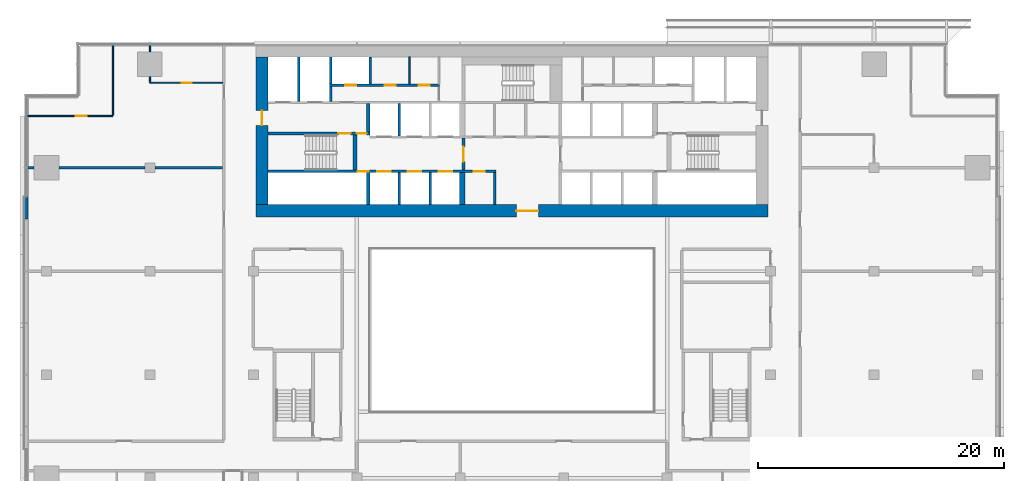
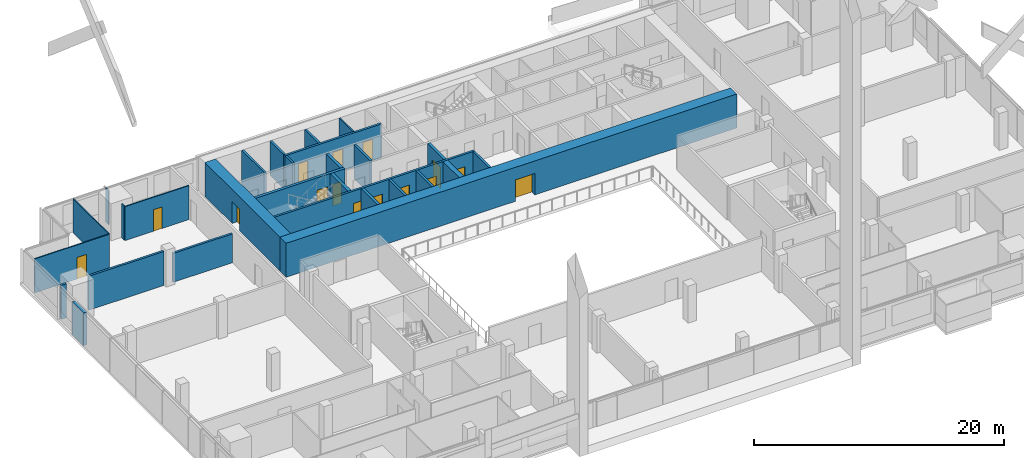
# One storey, part 21 of 30: 28 walls, 15 doors, 15 openings.
"""IFC4 building model written with IfcOpenShell, lengths in metres."""

from ifc_helpers import new_model, si_unit, direction, frame, frame_2d, origin, place, context, subcontext, project, spatial, rectangle, extrude, material, layer, layer_set, type_object, element, fill, save


model = new_model("IFC4")

# Units and contexts
model_context = context("Model", 3, precision=1e-05, world=origin(), true_north=direction((0.0, 1.0)))
body_context = subcontext(model_context, "Body", "Model", "MODEL_VIEW")
ifc_project = project(units=[si_unit("LENGTHUNIT", "METRE"), si_unit("AREAUNIT", "SQUARE_METRE"), si_unit("VOLUMEUNIT", "CUBIC_METRE"), si_unit("PLANEANGLEUNIT", "RADIAN"), si_unit("MASSUNIT", "GRAM", prefix="KILO")], contexts=[model_context])

# Site, building, storey
site_placement = place(None, origin())
site = spatial("IfcSite", under=ifc_project, at=site_placement, CompositionType="ELEMENT")
building_placement = place(site_placement, origin())
building = spatial("IfcBuilding", under=site, at=building_placement, Name="Saffron Gate Tower", CompositionType="ELEMENT")
storey_placement = place(building_placement, frame((0.0, 0.0, 95.25)))
storey = spatial("IfcBuildingStorey", under=building, at=storey_placement, Name="L21", CompositionType="ELEMENT", Elevation=95.25)

# Wall
ifc_material_1 = material(Name="Gypsum board partition on steel studs", Category="steel")
ifc_layer_1 = layer(ifc_material_1, 0.199951171875)
ifc_layer_set_1 = layer_set([ifc_layer_1], Name="CW10 Core partition 200")
wall_type_1 = type_object("IfcWallType", Name="CW10 Core partition 200", PredefinedType="PARTITIONING", material=ifc_layer_set_1)
wall_1_placement = place(storey_placement, frame((86.199951171875, 62.39990234375, 0.0), z_axis=(0.0, 0.0, 1.0), x_axis=(0.0, 1.0, 0.0)))
element("IfcWall", 1, at=wall_1_placement, inside=storey, type_object=wall_type_1, Name="Wall CW10-L21-9", PredefinedType="PARTITIONING", context=body_context, shape_type="SweptSolid", body=[
    extrude(rectangle(XDim=2.60009765625, YDim=0.199951171875, at=frame_2d((1.300048828125, 0.0))), origin(), (0.0, 0.0, 1.0), 3.320068359375),
])

# Wall, opening, door
ifc_material_2 = material(Name="Concrete C70", Category="concrete")
ifc_layer_2 = layer(ifc_material_2, 1.0)
ifc_layer_set_2 = layer_set([ifc_layer_2], Name="CW12 RC core wall 1000 C70")
wall_type_2 = type_object("IfcWallType", Name="CW12 RC core wall 1000 C70", PredefinedType="SOLIDWALL", material=ifc_layer_set_2)
wall_2_placement = place(storey_placement, frame((66.800048828125, 61.89990234375, 0.0), z_axis=(0.0, 0.0, 1.0), x_axis=(1.0, 0.0, 0.0)))
wall_2 = element("IfcWall", 2, at=wall_2_placement, inside=storey, type_object=wall_type_2, Name="Wall CW12-L21-1", PredefinedType="SOLIDWALL", context=body_context, shape_type="SweptSolid", body=[
    extrude(rectangle(XDim=41.599853515625, YDim=1.0, at=frame_2d((20.7998046875, 0.0))), origin(), (0.0, 0.0, 1.0), 3.320068359375),
])
opening_1_placement = place(wall_2_placement, frame((21.14990234375, 0.0, 0.0)))
opening_1 = element("IfcOpeningElement", 3, at=opening_1_placement, cuts=wall_2, Name="Opening CR-09", PredefinedType="OPENING", context=body_context, shape_type="SweptSolid", body=[
    extrude(rectangle(XDim=1.800048828125, YDim=2.10009765625, at=frame_2d((0.89990234375, 1.050048828125))), frame((0.0, 0.510009765625, 0.0), z_axis=(0.0, -1.0, 0.0), x_axis=(1.0, 0.0, 0.0)), (0.0, 0.0, 1.0), 1.02001953125),
])
ifc_material_3 = material(Name="Steel fire door set", Category="steel")
door_type_1 = type_object("IfcDoorType", Name="CD1 Core entrance door 1800x2100 EI 120", OperationType="NOTDEFINED", PredefinedType="DOOR", material=ifc_material_3)
door_1_placement = place(opening_1_placement, origin())
door_1 = element("IfcDoor", 4, at=door_1_placement, inside=storey, type_object=door_type_1, Name="DOOR CR-09", OperationType="DOUBLE_DOOR_SINGLE_SWING", OverallHeight=2.10009765625, OverallWidth=1.800048828125, PredefinedType="DOOR", context=body_context, shape_type="SweptSolid", body=[
    extrude(rectangle(XDim=1.800048828125, YDim=2.10009765625, at=frame_2d((0.89990234375, 1.050048828125))), frame((0.0, 0.02490234375, 0.0), z_axis=(0.0, -1.0, 0.0), x_axis=(1.0, 0.0, 0.0)), (0.0, 0.0, 1.0), 0.050048828125),
])
fill(opening_1, door_1)

wall_3_placement = place(storey_placement, frame((67.300048828125, 62.39990234375, 0.0), z_axis=(0.0, 0.0, 1.0), x_axis=(0.0, 1.0, 0.0)))
wall_3 = element("IfcWall", 5, at=wall_3_placement, inside=storey, type_object=wall_type_2, Name="Wall CW12-L21-3", PredefinedType="SOLIDWALL", context=body_context, shape_type="SweptSolid", body=[
    extrude(rectangle(XDim=12.0, YDim=1.0, at=frame_2d((6.0, 0.0))), origin(), (0.0, 0.0, 1.0), 3.320068359375),
])
opening_2_placement = place(wall_3_placement, frame((6.449951171875, 0.0, 0.0)))
opening_2 = element("IfcOpeningElement", 6, at=opening_2_placement, cuts=wall_3, Name="Opening CR-10", PredefinedType="OPENING", context=body_context, shape_type="SweptSolid", body=[
    extrude(rectangle(XDim=1.199951171875, YDim=2.10009765625, at=frame_2d((0.60009765625, 1.050048828125))), frame((0.0, 0.510009765625, 0.0), z_axis=(0.0, -1.0, 0.0), x_axis=(1.0, 0.0, 0.0)), (0.0, 0.0, 1.0), 1.02001953125),
])
door_type_2 = type_object("IfcDoorType", Name="CD7 Core entrance door 1200x2100 EI 120", OperationType="NOTDEFINED", PredefinedType="DOOR", material=ifc_material_3)
door_2_placement = place(opening_2_placement, origin())
door_2 = element("IfcDoor", 7, at=door_2_placement, inside=storey, type_object=door_type_2, Name="DOOR CR-10", OperationType="SINGLE_SWING_LEFT", OverallHeight=2.10009765625, OverallWidth=1.199951171875, PredefinedType="DOOR", context=body_context, shape_type="SweptSolid", body=[
    extrude(rectangle(XDim=1.199951171875, YDim=2.10009765625, at=frame_2d((0.60009765625, 1.050048828125))), frame((0.0, 0.02490234375, 0.0), z_axis=(0.0, -1.0, 0.0), x_axis=(1.0, 0.0, 0.0)), (0.0, 0.0, 1.0), 0.050048828125),
])
fill(opening_2, door_2)

# Wall
ifc_layer_3 = layer(ifc_material_2, 0.25)
ifc_layer_set_3 = layer_set([ifc_layer_3], Name="CW2 RC core wall 250 C70")
wall_type_3 = type_object("IfcWallType", Name="CW2 RC core wall 250 C70", PredefinedType="SOLIDWALL", material=ifc_layer_set_3)
wall_4_placement = place(storey_placement, frame((75.925048828125, 62.39990234375, 0.0), z_axis=(0.0, 0.0, 1.0), x_axis=(0.0, 1.0, 0.0)))
element("IfcWall", 8, at=wall_4_placement, inside=storey, type_object=wall_type_3, Name="Wall CW2-L21-5", PredefinedType="SOLIDWALL", context=body_context, shape_type="SweptSolid", body=[
    extrude(rectangle(XDim=2.60009765625, YDim=0.25, at=frame_2d((1.300048828125, 0.0))), origin(), (0.0, 0.0, 1.0), 3.320068359375),
])

# Wall, opening, door
wall_5_placement = place(storey_placement, frame((83.675048828125, 65.199951171875, 0.0), z_axis=(0.0, 0.0, 1.0), x_axis=(0.0, 1.0, 0.0)))
wall_5 = element("IfcWall", 9, at=wall_5_placement, inside=storey, type_object=wall_type_3, Name="Wall CW2-L21-17", PredefinedType="SOLIDWALL", context=body_context, shape_type="SweptSolid", body=[
    extrude(rectangle(XDim=2.60009765625, YDim=0.25, at=frame_2d((1.300048828125, 0.0))), origin(), (0.0, 0.0, 1.0), 3.320068359375),
])
opening_3_placement = place(wall_5_placement, frame((0.699951171875, 0.0, 0.0)))
opening_3 = element("IfcOpeningElement", 10, at=opening_3_placement, cuts=wall_5, Name="Opening CR-07", PredefinedType="OPENING", context=body_context, shape_type="SweptSolid", body=[
    extrude(rectangle(XDim=1.199951171875, YDim=2.10009765625, at=frame_2d((0.60009765625, 1.050048828125))), frame((0.0, 0.135009765625, 0.0), z_axis=(0.0, -1.0, 0.0), x_axis=(1.0, 0.0, 0.0)), (0.0, 0.0, 1.0), 0.27001953125),
])
door_type_3 = type_object("IfcDoorType", Name="CD3 Lobby door 1200x2100 EI 120", OperationType="NOTDEFINED", PredefinedType="DOOR", material=ifc_material_3)
door_3_placement = place(opening_3_placement, origin())
door_3 = element("IfcDoor", 11, at=door_3_placement, inside=storey, type_object=door_type_3, Name="DOOR CR-07", OperationType="SINGLE_SWING_RIGHT", OverallHeight=2.10009765625, OverallWidth=1.199951171875, PredefinedType="DOOR", context=body_context, shape_type="SweptSolid", body=[
    extrude(rectangle(XDim=1.199951171875, YDim=2.10009765625, at=frame_2d((0.60009765625, 1.050048828125))), frame((0.0, 0.02490234375, 0.0), z_axis=(0.0, -1.0, 0.0), x_axis=(1.0, 0.0, 0.0)), (0.0, 0.0, 1.0), 0.050048828125),
])
fill(opening_3, door_3)

# Wall, openings, doors
wall_6_placement = place(storey_placement, frame((67.800048828125, 68.175048828125, 0.0), z_axis=(0.0, 0.0, 1.0), x_axis=(1.0, 0.0, 0.0)))
wall_6 = element("IfcWall", 12, at=wall_6_placement, inside=storey, type_object=wall_type_3, Name="Wall CW2-L21-30", PredefinedType="SOLIDWALL", context=body_context, shape_type="SweptSolid", body=[
    extrude(rectangle(XDim=8.25, YDim=0.25, at=frame_2d((4.125, 0.0))), origin(), (0.0, 0.0, 1.0), 3.320068359375),
])
opening_4_placement = place(wall_6_placement, frame((5.699951171875, 0.0, 0.0)))
opening_4 = element("IfcOpeningElement", 13, at=opening_4_placement, cuts=wall_6, Name="Opening CR-15", PredefinedType="OPENING", context=body_context, shape_type="SweptSolid", body=[
    extrude(rectangle(XDim=1.0, YDim=2.10009765625, at=frame_2d((0.5, 1.050048828125))), frame((0.0, 0.135009765625, 0.0), z_axis=(0.0, -1.0, 0.0), x_axis=(1.0, 0.0, 0.0)), (0.0, 0.0, 1.0), 0.27001953125),
])
opening_5_placement = place(wall_6_placement, frame((7.199951171875, 0.0, 0.0)))
opening_5 = element("IfcOpeningElement", 14, at=opening_5_placement, cuts=wall_6, Name="Opening CR-06", PredefinedType="OPENING", context=body_context, shape_type="SweptSolid", body=[
    extrude(rectangle(XDim=0.800048828125, YDim=2.10009765625, at=frame_2d((0.39990234375, 1.050048828125))), frame((0.0, 0.135009765625, 0.0), z_axis=(0.0, -1.0, 0.0), x_axis=(1.0, 0.0, 0.0)), (0.0, 0.0, 1.0), 0.27001953125),
])
door_type_4 = type_object("IfcDoorType", Name="CD5 Stair door 1000x2100 EI 120", OperationType="NOTDEFINED", PredefinedType="DOOR", material=ifc_material_3)
door_4_placement = place(opening_4_placement, origin())
door_4 = element("IfcDoor", 15, at=door_4_placement, inside=storey, type_object=door_type_4, Name="DOOR CR-15", OperationType="SINGLE_SWING_RIGHT", OverallHeight=2.10009765625, OverallWidth=1.0, PredefinedType="DOOR", context=body_context, shape_type="SweptSolid", body=[
    extrude(rectangle(XDim=1.0, YDim=2.10009765625, at=frame_2d((0.5, 1.050048828125))), frame((0.0, 0.02490234375, 0.0), z_axis=(0.0, -1.0, 0.0), x_axis=(1.0, 0.0, 0.0)), (0.0, 0.0, 1.0), 0.050048828125),
])
fill(opening_4, door_4)
door_type_5 = type_object("IfcDoorType", Name="CD6 Lobby door 800x2100 EI 120", OperationType="NOTDEFINED", PredefinedType="DOOR", material=ifc_material_3)
door_5_placement = place(opening_5_placement, origin())
door_5 = element("IfcDoor", 16, at=door_5_placement, inside=storey, type_object=door_type_5, Name="DOOR CR-06", OperationType="SINGLE_SWING_LEFT", OverallHeight=2.10009765625, OverallWidth=0.800048828125, PredefinedType="DOOR", context=body_context, shape_type="SweptSolid", body=[
    extrude(rectangle(XDim=0.800048828125, YDim=2.10009765625, at=frame_2d((0.39990234375, 1.050048828125))), frame((0.0, 0.02490234375, 0.0), z_axis=(0.0, -1.0, 0.0), x_axis=(1.0, 0.0, 0.0)), (0.0, 0.0, 1.0), 0.050048828125),
])
fill(opening_5, door_5)

# Walls
wall_7_placement = place(storey_placement, frame((75.925048828125, 68.300048828125, 0.0), z_axis=(0.0, 0.0, 1.0), x_axis=(0.0, 1.0, 0.0)))
element("IfcWall", 17, at=wall_7_placement, inside=storey, type_object=wall_type_3, Name="Wall CW2-L21-32", PredefinedType="SOLIDWALL", context=body_context, shape_type="SweptSolid", body=[
    extrude(rectangle(XDim=2.300048828125, YDim=0.25, at=frame_2d((1.14990234375, 0.0))), origin(), (0.0, 0.0, 1.0), 3.320068359375),
])
ifc_layer_4 = layer(ifc_material_2, 0.199951171875)
ifc_layer_set_4 = layer_set([ifc_layer_4], Name="CW3 RC core wall 200 C70")
wall_type_4 = type_object("IfcWallType", Name="CW3 RC core wall 200 C70", PredefinedType="SOLIDWALL", material=ifc_layer_set_4)
for number, where, z_axis, x_axis, name in (
    (18, (78.449951171875, 62.39990234375, 0.0), (0.0, 0.0, 1.0), (0.0, 1.0, 0.0), "Wall CW3-L21-6"),
    (19, (80.949951171875, 62.39990234375, 0.0), (0.0, 0.0, 1.0), (0.0, 1.0, 0.0), "Wall CW3-L21-7"),
):
    element("IfcWall", number, at=place(storey_placement, frame(where, z_axis=z_axis, x_axis=x_axis)), inside=storey, type_object=wall_type_4, Name=name, PredefinedType="SOLIDWALL", context=body_context, shape_type="SweptSolid", body=[
        extrude(rectangle(XDim=2.60009765625, YDim=0.199951171875, at=frame_2d((1.300048828125, 0.0))), origin(), (0.0, 0.0, 1.0), 3.320068359375),
    ])

# Wall, openings, doors
wall_8_placement = place(storey_placement, frame((67.800048828125, 65.10009765625, 0.0), z_axis=(0.0, 0.0, 1.0), x_axis=(1.0, 0.0, 0.0)))
wall_8 = element("IfcWall", 20, at=wall_8_placement, inside=storey, type_object=wall_type_4, Name="Wall CW3-L21-14", PredefinedType="SOLIDWALL", context=body_context, shape_type="SweptSolid", body=[
    extrude(rectangle(XDim=18.5, YDim=0.199951171875, at=frame_2d((9.25, 0.0))), origin(), (0.0, 0.0, 1.0), 3.320068359375),
])
opening_6_placement = place(wall_8_placement, frame((7.27001953125, 0.0, 0.0)))
opening_6 = element("IfcOpeningElement", 21, at=opening_6_placement, cuts=wall_8, Name="Opening CR-49", PredefinedType="OPENING", context=body_context, shape_type="SweptSolid", body=[
    extrude(rectangle(XDim=0.89990234375, YDim=2.10009765625, at=frame_2d((0.449951171875, 1.050048828125))), frame((0.0, 0.10986328125, 0.0), z_axis=(0.0, -1.0, 0.0), x_axis=(1.0, 0.0, 0.0)), (0.0, 0.0, 1.0), 0.219970703125),
])
opening_7_placement = place(wall_8_placement, frame((8.85009765625, 0.0, 0.0)))
opening_7 = element("IfcOpeningElement", 22, at=opening_7_placement, cuts=wall_8, Name="Opening LD-LR1", PredefinedType="OPENING", context=body_context, shape_type="SweptSolid", body=[
    extrude(rectangle(XDim=1.10009765625, YDim=2.10009765625, at=frame_2d((0.550048828125, 1.050048828125))), frame((0.0, 0.10986328125, 0.0), z_axis=(0.0, -1.0, 0.0), x_axis=(1.0, 0.0, 0.0)), (0.0, 0.0, 1.0), 0.219970703125),
])
opening_8_placement = place(wall_8_placement, frame((11.35009765625, 0.0, 0.0)))
opening_8 = element("IfcOpeningElement", 23, at=opening_8_placement, cuts=wall_8, Name="Opening LD-LR2", PredefinedType="OPENING", context=body_context, shape_type="SweptSolid", body=[
    extrude(rectangle(XDim=1.10009765625, YDim=2.10009765625, at=frame_2d((0.550048828125, 1.050048828125))), frame((0.0, 0.10986328125, 0.0), z_axis=(0.0, -1.0, 0.0), x_axis=(1.0, 0.0, 0.0)), (0.0, 0.0, 1.0), 0.219970703125),
])
opening_9_placement = place(wall_8_placement, frame((13.85009765625, 0.0, 0.0)))
opening_9 = element("IfcOpeningElement", 24, at=opening_9_placement, cuts=wall_8, Name="Opening LD-LR3", PredefinedType="OPENING", context=body_context, shape_type="SweptSolid", body=[
    extrude(rectangle(XDim=1.10009765625, YDim=2.10009765625, at=frame_2d((0.550048828125, 1.050048828125))), frame((0.0, 0.10986328125, 0.0), z_axis=(0.0, -1.0, 0.0), x_axis=(1.0, 0.0, 0.0)), (0.0, 0.0, 1.0), 0.219970703125),
])
opening_10_placement = place(wall_8_placement, frame((16.699951171875, 0.0, 0.0)))
opening_10 = element("IfcOpeningElement", 25, at=opening_10_placement, cuts=wall_8, Name="Opening CR-69", PredefinedType="OPENING", context=body_context, shape_type="SweptSolid", body=[
    extrude(rectangle(XDim=0.89990234375, YDim=2.10009765625, at=frame_2d((0.449951171875, 1.050048828125))), frame((0.0, 0.10986328125, 0.0), z_axis=(0.0, -1.0, 0.0), x_axis=(1.0, 0.0, 0.0)), (0.0, 0.0, 1.0), 0.219970703125),
])
door_type_6 = type_object("IfcDoorType", Name="CD2 Riser door 900x2100 EI 60", OperationType="NOTDEFINED", PredefinedType="DOOR", material=ifc_material_3)
door_6_placement = place(opening_6_placement, origin())
door_6 = element("IfcDoor", 26, at=door_6_placement, inside=storey, type_object=door_type_6, Name="DOOR CR-49", OperationType="SINGLE_SWING_LEFT", OverallHeight=2.10009765625, OverallWidth=0.89990234375, PredefinedType="DOOR", context=body_context, shape_type="SweptSolid", body=[
    extrude(rectangle(XDim=0.89990234375, YDim=2.10009765625, at=frame_2d((0.449951171875, 1.050048828125))), frame((0.0, 0.02490234375, 0.0), z_axis=(0.0, -1.0, 0.0), x_axis=(1.0, 0.0, 0.0)), (0.0, 0.0, 1.0), 0.050048828125),
])
fill(opening_6, door_6)
door_type_7 = type_object("IfcDoorType", Name="CD9 Room door 900x2100 EI 60", OperationType="NOTDEFINED", PredefinedType="DOOR", material=ifc_material_3)
door_7_placement = place(opening_10_placement, origin())
door_7 = element("IfcDoor", 27, at=door_7_placement, inside=storey, type_object=door_type_7, Name="DOOR CR-69", OperationType="SINGLE_SWING_RIGHT", OverallHeight=2.10009765625, OverallWidth=0.89990234375, PredefinedType="DOOR", context=body_context, shape_type="SweptSolid", body=[
    extrude(rectangle(XDim=0.89990234375, YDim=2.10009765625, at=frame_2d((0.449951171875, 1.050048828125))), frame((0.0, 0.02490234375, 0.0), z_axis=(0.0, -1.0, 0.0), x_axis=(1.0, 0.0, 0.0)), (0.0, 0.0, 1.0), 0.050048828125),
])
fill(opening_10, door_7)
ifc_material_4 = material(Name="Stainless steel landing door", Category="steel")
door_type_8 = type_object("IfcDoorType", Name="LD Lift landing door 1100x2100 EI 120", OperationType="SLIDING_TO_LEFT", PredefinedType="DOOR", material=ifc_material_4)
door_8_placement = place(opening_7_placement, origin())
door_8 = element("IfcDoor", 28, at=door_8_placement, inside=storey, type_object=door_type_8, Name="LANDING DOOR LD-LR1", OperationType="SLIDING_TO_LEFT", OverallHeight=2.10009765625, OverallWidth=1.10009765625, PredefinedType="DOOR", context=body_context, shape_type="SweptSolid", body=[
    extrude(rectangle(XDim=1.10009765625, YDim=2.10009765625, at=frame_2d((0.550048828125, 1.050048828125))), frame((0.0, 0.02490234375, 0.0), z_axis=(0.0, -1.0, 0.0), x_axis=(1.0, 0.0, 0.0)), (0.0, 0.0, 1.0), 0.050048828125),
])
fill(opening_7, door_8)
door_9_placement = place(opening_8_placement, origin())
door_9 = element("IfcDoor", 29, at=door_9_placement, inside=storey, type_object=door_type_8, Name="LANDING DOOR LD-LR2", OperationType="SLIDING_TO_LEFT", OverallHeight=2.10009765625, OverallWidth=1.10009765625, PredefinedType="DOOR", context=body_context, shape_type="SweptSolid", body=[
    extrude(rectangle(XDim=1.10009765625, YDim=2.10009765625, at=frame_2d((0.550048828125, 1.050048828125))), frame((0.0, 0.02490234375, 0.0), z_axis=(0.0, -1.0, 0.0), x_axis=(1.0, 0.0, 0.0)), (0.0, 0.0, 1.0), 0.050048828125),
])
fill(opening_8, door_9)
door_10_placement = place(opening_9_placement, origin())
door_10 = element("IfcDoor", 30, at=door_10_placement, inside=storey, type_object=door_type_8, Name="LANDING DOOR LD-LR3", OperationType="SLIDING_TO_LEFT", OverallHeight=2.10009765625, OverallWidth=1.10009765625, PredefinedType="DOOR", context=body_context, shape_type="SweptSolid", body=[
    extrude(rectangle(XDim=1.10009765625, YDim=2.10009765625, at=frame_2d((0.550048828125, 1.050048828125))), frame((0.0, 0.02490234375, 0.0), z_axis=(0.0, -1.0, 0.0), x_axis=(1.0, 0.0, 0.0)), (0.0, 0.0, 1.0), 0.050048828125),
])
fill(opening_9, door_10)

# Walls
wall_9_placement = place(storey_placement, frame((78.449951171875, 68.0, 0.0), z_axis=(0.0, 0.0, 1.0), x_axis=(0.0, 1.0, 0.0)))
element("IfcWall", 31, at=wall_9_placement, inside=storey, type_object=wall_type_4, Name="Wall CW3-L21-21", PredefinedType="SOLIDWALL", context=body_context, shape_type="SweptSolid", body=[
    extrude(rectangle(XDim=2.60009765625, YDim=0.199951171875, at=frame_2d((1.300048828125, 0.0))), origin(), (0.0, 0.0, 1.0), 3.320068359375),
])
wall_10_placement = place(storey_placement, frame((70.300048828125, 70.800048828125, 0.0), z_axis=(0.0, 0.0, 1.0), x_axis=(0.0, 1.0, 0.0)))
element("IfcWall", 32, at=wall_10_placement, inside=storey, type_object=wall_type_4, Name="Wall CW3-L21-35", PredefinedType="SOLIDWALL", context=body_context, shape_type="SweptSolid", body=[
    extrude(rectangle(XDim=3.599853515625, YDim=0.199951171875, at=frame_2d((1.7998046875, 0.0))), origin(), (0.0, 0.0, 1.0), 3.320068359375),
])
wall_11_placement = place(storey_placement, frame((72.89990234375, 70.800048828125, 0.0), z_axis=(0.0, 0.0, 1.0), x_axis=(0.0, 1.0, 0.0)))
element("IfcWall", 33, at=wall_11_placement, inside=storey, type_object=wall_type_4, Name="Wall CW3-L21-36", PredefinedType="SOLIDWALL", context=body_context, shape_type="SweptSolid", body=[
    extrude(rectangle(XDim=1.199951171875, YDim=0.199951171875, at=frame_2d((0.60009765625, 0.0))), origin(), (0.0, 0.0, 1.0), 3.320068359375),
])

# Wall, openings, doors
wall_12_placement = place(storey_placement, frame((72.800048828125, 72.10009765625, 0.0), z_axis=(0.0, 0.0, 1.0), x_axis=(1.0, 0.0, 0.0)))
wall_12 = element("IfcWall", 34, at=wall_12_placement, inside=storey, type_object=wall_type_4, Name="Wall CW3-L21-43", PredefinedType="SOLIDWALL", context=body_context, shape_type="SweptSolid", body=[
    extrude(rectangle(XDim=8.919921875, YDim=0.199951171875, at=frame_2d((4.4599609375, 0.0))), origin(), (0.0, 0.0, 1.0), 3.320068359375),
])
opening_11_placement = place(wall_12_placement, frame((1.25, 0.0, 0.0)))
opening_11 = element("IfcOpeningElement", 35, at=opening_11_placement, cuts=wall_12, Name="Opening CR-71", PredefinedType="OPENING", context=body_context, shape_type="SweptSolid", body=[
    extrude(rectangle(XDim=0.89990234375, YDim=2.10009765625, at=frame_2d((0.449951171875, 1.050048828125))), frame((0.0, 0.10986328125, 0.0), z_axis=(0.0, -1.0, 0.0), x_axis=(1.0, 0.0, 0.0)), (0.0, 0.0, 1.0), 0.219970703125),
])
opening_12_placement = place(wall_12_placement, frame((4.449951171875, 0.0, 0.0)))
opening_12 = element("IfcOpeningElement", 36, at=opening_12_placement, cuts=wall_12, Name="Opening CR-55", PredefinedType="OPENING", context=body_context, shape_type="SweptSolid", body=[
    extrude(rectangle(XDim=0.89990234375, YDim=2.10009765625, at=frame_2d((0.449951171875, 1.050048828125))), frame((0.0, 0.10986328125, 0.0), z_axis=(0.0, -1.0, 0.0), x_axis=(1.0, 0.0, 0.0)), (0.0, 0.0, 1.0), 0.219970703125),
])
opening_13_placement = place(wall_12_placement, frame((7.2099609375, 0.0, 0.0)))
opening_13 = element("IfcOpeningElement", 37, at=opening_13_placement, cuts=wall_12, Name="Opening CR-58", PredefinedType="OPENING", context=body_context, shape_type="SweptSolid", body=[
    extrude(rectangle(XDim=0.89990234375, YDim=2.10009765625, at=frame_2d((0.449951171875, 1.050048828125))), frame((0.0, 0.10986328125, 0.0), z_axis=(0.0, -1.0, 0.0), x_axis=(1.0, 0.0, 0.0)), (0.0, 0.0, 1.0), 0.219970703125),
])
door_11_placement = place(opening_11_placement, origin())
door_11 = element("IfcDoor", 38, at=door_11_placement, inside=storey, type_object=door_type_6, Name="DOOR CR-71", OperationType="SINGLE_SWING_LEFT", OverallHeight=2.10009765625, OverallWidth=0.89990234375, PredefinedType="DOOR", context=body_context, shape_type="SweptSolid", body=[
    extrude(rectangle(XDim=0.89990234375, YDim=2.10009765625, at=frame_2d((0.449951171875, 1.050048828125))), frame((0.0, 0.02490234375, 0.0), z_axis=(0.0, -1.0, 0.0), x_axis=(1.0, 0.0, 0.0)), (0.0, 0.0, 1.0), 0.050048828125),
])
fill(opening_11, door_11)
door_12_placement = place(opening_12_placement, origin())
door_12 = element("IfcDoor", 39, at=door_12_placement, inside=storey, type_object=door_type_7, Name="DOOR CR-55", OperationType="SINGLE_SWING_LEFT", OverallHeight=2.10009765625, OverallWidth=0.89990234375, PredefinedType="DOOR", context=body_context, shape_type="SweptSolid", body=[
    extrude(rectangle(XDim=0.89990234375, YDim=2.10009765625, at=frame_2d((0.449951171875, 1.050048828125))), frame((0.0, 0.02490234375, 0.0), z_axis=(0.0, -1.0, 0.0), x_axis=(1.0, 0.0, 0.0)), (0.0, 0.0, 1.0), 0.050048828125),
])
fill(opening_12, door_12)
door_13_placement = place(opening_13_placement, origin())
door_13 = element("IfcDoor", 40, at=door_13_placement, inside=storey, type_object=door_type_7, Name="DOOR CR-58", OperationType="SINGLE_SWING_LEFT", OverallHeight=2.10009765625, OverallWidth=0.89990234375, PredefinedType="DOOR", context=body_context, shape_type="SweptSolid", body=[
    extrude(rectangle(XDim=0.89990234375, YDim=2.10009765625, at=frame_2d((0.449951171875, 1.050048828125))), frame((0.0, 0.02490234375, 0.0), z_axis=(0.0, -1.0, 0.0), x_axis=(1.0, 0.0, 0.0)), (0.0, 0.0, 1.0), 0.050048828125),
])
fill(opening_13, door_13)

# Walls
for number, where, z_axis, x_axis, name in (
    (41, (72.89990234375, 72.199951171875, 0.0), (0.0, 0.0, 1.0), (0.0, 1.0, 0.0), "Wall CW3-L21-45"),
    (42, (76.10009765625, 72.199951171875, 0.0), (0.0, 0.0, 1.0), (0.0, 1.0, 0.0), "Wall CW3-L21-46"),
):
    element("IfcWall", number, at=place(storey_placement, frame(where, z_axis=z_axis, x_axis=x_axis)), inside=storey, type_object=wall_type_4, Name=name, PredefinedType="SOLIDWALL", context=body_context, shape_type="SweptSolid", body=[
        extrude(rectangle(XDim=2.199951171875, YDim=0.199951171875, at=frame_2d((1.10009765625, 0.0))), origin(), (0.0, 0.0, 1.0), 3.320068359375),
    ])
ifc_layer_5 = layer(ifc_material_2, 0.449951171875)
ifc_layer_set_5 = layer_set([ifc_layer_5], Name="CW4 RC core wall 450 C70")
wall_type_5 = type_object("IfcWallType", Name="CW4 RC core wall 450 C70", PredefinedType="SOLIDWALL", material=ifc_layer_set_5)
wall_13_placement = place(storey_placement, frame((83.574951171875, 62.39990234375, 0.0), z_axis=(0.0, 0.0, 1.0), x_axis=(0.0, 1.0, 0.0)))
element("IfcWall", 43, at=wall_13_placement, inside=storey, type_object=wall_type_5, Name="Wall CW4-L21-8", PredefinedType="SOLIDWALL", context=body_context, shape_type="SweptSolid", body=[
    extrude(rectangle(XDim=2.60009765625, YDim=0.449951171875, at=frame_2d((1.300048828125, 0.0))), origin(), (0.0, 0.0, 1.0), 3.320068359375),
])
ifc_layer_6 = layer(ifc_material_2, 0.300048828125)
ifc_layer_set_6 = layer_set([ifc_layer_6], Name="CW5 RC core wall 300 C70")
wall_type_6 = type_object("IfcWallType", Name="CW5 RC core wall 300 C70", PredefinedType="SOLIDWALL", material=ifc_layer_set_6)
wall_14_placement = place(storey_placement, frame((74.85009765625, 65.199951171875, 0.0), z_axis=(0.0, 0.0, 1.0), x_axis=(0.0, 1.0, 0.0)))
element("IfcWall", 44, at=wall_14_placement, inside=storey, type_object=wall_type_6, Name="Wall CW5-L21-16", PredefinedType="SOLIDWALL", context=body_context, shape_type="SweptSolid", body=[
    extrude(rectangle(XDim=2.85009765625, YDim=0.300048828125, at=frame_2d((1.425048828125, 0.0))), origin(), (0.0, 0.0, 1.0), 3.320068359375),
])
ifc_layer_7 = layer(ifc_material_1, 0.1201171875)
ifc_layer_set_7 = layer_set([ifc_layer_7], Name="CW8 Core partition 120")
wall_type_7 = type_object("IfcWallType", Name="CW8 Core partition 120", PredefinedType="PARTITIONING", material=ifc_layer_set_7)
wall_15_placement = place(storey_placement, frame((79.260009765625, 72.199951171875, 0.0), z_axis=(0.0, 0.0, 1.0), x_axis=(0.0, 1.0, 0.0)))
element("IfcWall", 45, at=wall_15_placement, inside=storey, type_object=wall_type_7, Name="Wall CW8-L21-47", PredefinedType="PARTITIONING", context=body_context, shape_type="SweptSolid", body=[
    extrude(rectangle(XDim=2.199951171875, YDim=0.1201171875, at=frame_2d((1.10009765625, 0.0))), origin(), (0.0, 0.0, 1.0), 3.320068359375),
])

# Wall, opening, door
ifc_material_5 = material(Name="Plasterboard on steel studs", Category="steel")
ifc_layer_8 = layer(ifc_material_5, 0.10009765625)
ifc_layer_set_8 = layer_set([ifc_layer_8], Name="PW1 Partition 100")
wall_type_8 = type_object("IfcWallType", Name="PW1 Partition 100", PredefinedType="PARTITIONING", material=ifc_layer_set_8)
wall_16_placement = place(storey_placement, frame((48.280029296875, 69.60009765625, 0.0), z_axis=(0.0, 0.0, 1.0), x_axis=(1.0, 0.0, 0.0)))
wall_16 = element("IfcWall", 46, at=wall_16_placement, inside=storey, type_object=wall_type_8, Name="Partition B1-33", PredefinedType="PARTITIONING", context=body_context, shape_type="SweptSolid", body=[
    extrude(rectangle(XDim=6.919921875, YDim=0.10009765625, at=frame_2d((3.4599609375, 0.0))), origin(), (0.0, 0.0, 1.0), 3.320068359375),
])
opening_14_placement = place(wall_16_placement, frame((3.9052734375, 0.0, 0.0)))
opening_14 = element("IfcOpeningElement", 47, at=opening_14_placement, cuts=wall_16, Name="Opening B1-13", PredefinedType="OPENING", context=body_context, shape_type="SweptSolid", body=[
    extrude(rectangle(XDim=0.89990234375, YDim=2.10009765625, at=frame_2d((0.449951171875, 1.050048828125))), frame((0.0, 0.06005859375, 0.0), z_axis=(0.0, -1.0, 0.0), x_axis=(1.0, 0.0, 0.0)), (0.0, 0.0, 1.0), 0.1201171875),
])
ifc_material_6 = material(Name="Timber door set", Category="wood")
door_type_9 = type_object("IfcDoorType", Name="RD1 Room door 900x2100", OperationType="NOTDEFINED", PredefinedType="DOOR", material=ifc_material_6)
door_14_placement = place(opening_14_placement, origin())
door_14 = element("IfcDoor", 48, at=door_14_placement, inside=storey, type_object=door_type_9, Name="Door B1-13", OperationType="SINGLE_SWING_RIGHT", OverallHeight=2.10009765625, OverallWidth=0.89990234375, PredefinedType="DOOR", context=body_context, shape_type="SweptSolid", body=[
    extrude(rectangle(XDim=0.89990234375, YDim=2.10009765625, at=frame_2d((0.449951171875, 1.050048828125))), frame((0.0, 0.02490234375, 0.0), z_axis=(0.0, -1.0, 0.0), x_axis=(1.0, 0.0, 0.0)), (0.0, 0.0, 1.0), 0.050048828125),
])
fill(opening_14, door_14)

wall_17_placement = place(storey_placement, frame((58.199951171875, 72.300048828125, 0.0), z_axis=(0.0, 0.0, 1.0), x_axis=(1.0, 0.0, 0.0)))
wall_17 = element("IfcWall", 49, at=wall_17_placement, inside=storey, type_object=wall_type_8, Name="Partition B1-35", PredefinedType="PARTITIONING", context=body_context, shape_type="SweptSolid", body=[
    extrude(rectangle(XDim=5.900146484375, YDim=0.10009765625, at=frame_2d((2.9501953125, 0.0))), origin(), (0.0, 0.0, 1.0), 3.320068359375),
])
opening_15_placement = place(wall_17_placement, frame((2.60009765625, 0.0, 0.0)))
opening_15 = element("IfcOpeningElement", 50, at=opening_15_placement, cuts=wall_17, Name="Opening B1-20", PredefinedType="OPENING", context=body_context, shape_type="SweptSolid", body=[
    extrude(rectangle(XDim=0.800048828125, YDim=2.10009765625, at=frame_2d((0.39990234375, 1.050048828125))), frame((0.0, 0.06005859375, 0.0), z_axis=(0.0, -1.0, 0.0), x_axis=(1.0, 0.0, 0.0)), (0.0, 0.0, 1.0), 0.1201171875),
])
door_type_10 = type_object("IfcDoorType", Name="RD2 Bathroom door 800x2100", OperationType="NOTDEFINED", PredefinedType="DOOR", material=ifc_material_6)
door_15_placement = place(opening_15_placement, origin())
door_15 = element("IfcDoor", 51, at=door_15_placement, inside=storey, type_object=door_type_10, Name="Door B1-20", OperationType="SINGLE_SWING_RIGHT", OverallHeight=2.10009765625, OverallWidth=0.800048828125, PredefinedType="DOOR", context=body_context, shape_type="SweptSolid", body=[
    extrude(rectangle(XDim=0.800048828125, YDim=2.10009765625, at=frame_2d((0.39990234375, 1.050048828125))), frame((0.0, 0.02490234375, 0.0), z_axis=(0.0, -1.0, 0.0), x_axis=(1.0, 0.0, 0.0)), (0.0, 0.0, 1.0), 0.050048828125),
])
fill(opening_15, door_15)

# Walls
wall_18_placement = place(storey_placement, frame((55.199951171875, 75.320068359375, 0.0), z_axis=(0.0, 0.0, 1.0), x_axis=(0.0, -1.0, 0.0)))
element("IfcWall", 52, at=wall_18_placement, inside=storey, type_object=wall_type_8, Name="Partition B1-37", PredefinedType="PARTITIONING", context=body_context, shape_type="SweptSolid", body=[
    extrude(rectangle(XDim=5.670166015625, YDim=0.10009765625, at=frame_2d((2.8349609375, 0.0))), origin(), (0.0, 0.0, 1.0), 3.320068359375),
])
wall_19_placement = place(storey_placement, frame((58.199951171875, 72.780029296875, 0.0), z_axis=(0.0, 0.0, 1.0), x_axis=(0.0, -1.0, 0.0)))
element("IfcWall", 53, at=wall_19_placement, inside=storey, type_object=wall_type_8, Name="Partition B1-39", PredefinedType="PARTITIONING", context=body_context, shape_type="SweptSolid", body=[
    extrude(rectangle(XDim=0.429931640625, YDim=0.10009765625, at=frame_2d((0.21484375, 0.0))), origin(), (0.0, 0.0, 1.0), 3.320068359375),
])
wall_20_placement = place(storey_placement, frame((58.199951171875, 75.320068359375, 0.0), z_axis=(0.0, 0.0, 1.0), x_axis=(0.0, -1.0, 0.0)))
element("IfcWall", 54, at=wall_20_placement, inside=storey, type_object=wall_type_8, Name="Partition B1-40", PredefinedType="PARTITIONING", context=body_context, shape_type="SweptSolid", body=[
    extrude(rectangle(XDim=0.5, YDim=0.10009765625, at=frame_2d((0.25, 0.0))), origin(), (0.0, 0.0, 1.0), 3.320068359375),
])
ifc_material_7 = material(Name="Clay brick masonry, rendered", Category="masonry")
ifc_layer_9 = layer(ifc_material_7, 0.199951171875)
ifc_layer_set_9 = layer_set([ifc_layer_9], Name="PW5 Room wall 200")
wall_type_9 = type_object("IfcWallType", Name="PW5 Room wall 200", PredefinedType="PARTITIONING", material=ifc_layer_set_9)
wall_21_placement = place(storey_placement, frame((48.280029296875, 65.39990234375, 0.0), z_axis=(0.0, 0.0, 1.0), x_axis=(1.0, 0.0, 0.0)))
element("IfcWall", 55, at=wall_21_placement, inside=storey, type_object=wall_type_9, Name="Wall B1-26", PredefinedType="PARTITIONING", context=body_context, shape_type="SweptSolid", body=[
    extrude(rectangle(XDim=0.5, YDim=0.199951171875, at=frame_2d((0.25, 0.0))), origin(), (0.0, 0.0, 1.0), 3.320068359375),
])
wall_22_placement = place(storey_placement, frame((50.820068359375, 65.39990234375, 0.0), z_axis=(0.0, 0.0, 1.0), x_axis=(1.0, 0.0, 0.0)))
element("IfcWall", 56, at=wall_22_placement, inside=storey, type_object=wall_type_9, Name="Wall B1-27", PredefinedType="PARTITIONING", context=body_context, shape_type="SweptSolid", body=[
    extrude(rectangle(XDim=6.9599609375, YDim=0.199951171875, at=frame_2d((3.47998046875, 0.0))), origin(), (0.0, 0.0, 1.0), 3.320068359375),
])
wall_23_placement = place(storey_placement, frame((58.6201171875, 65.39990234375, 0.0), z_axis=(0.0, 0.0, 1.0), x_axis=(1.0, 0.0, 0.0)))
element("IfcWall", 57, at=wall_23_placement, inside=storey, type_object=wall_type_9, Name="Wall B1-28", PredefinedType="PARTITIONING", context=body_context, shape_type="SweptSolid", body=[
    extrude(rectangle(XDim=5.47998046875, YDim=0.199951171875, at=frame_2d((2.739990234375, 0.0))), origin(), (0.0, 0.0, 1.0), 2.820068359375),
])
ifc_material_8 = material(Name="Reinforced concrete C40/50 with mineral wool insulation", Category="concrete")
ifc_layer_10 = layer(ifc_material_8, 0.30810546875)
ifc_layer_set_10 = layer_set([ifc_layer_10], Name="WBAY3 arch bay insulated wall")
wall_type_10 = type_object("IfcWallType", Name="WBAY3 arch bay insulated wall", PredefinedType="SOLIDWALL", material=ifc_layer_set_10)
wall_24_placement = place(storey_placement, frame((48.154052734375, 61.22998046875, 0.0), z_axis=(0.0, 0.0, 1.0), x_axis=(0.0, 1.0, 0.0)))
element("IfcWall", 58, at=wall_24_placement, inside=storey, type_object=wall_type_10, Name="ARCH BAY wall", PredefinedType="SOLIDWALL", context=body_context, shape_type="SweptSolid", body=[
    extrude(rectangle(XDim=1.8193359375, YDim=0.30810546875, at=frame_2d((0.90966796875, 0.0))), origin(), (0.0, 0.0, 1.0), 3.199951171875),
])

save(model, "model.ifc")
